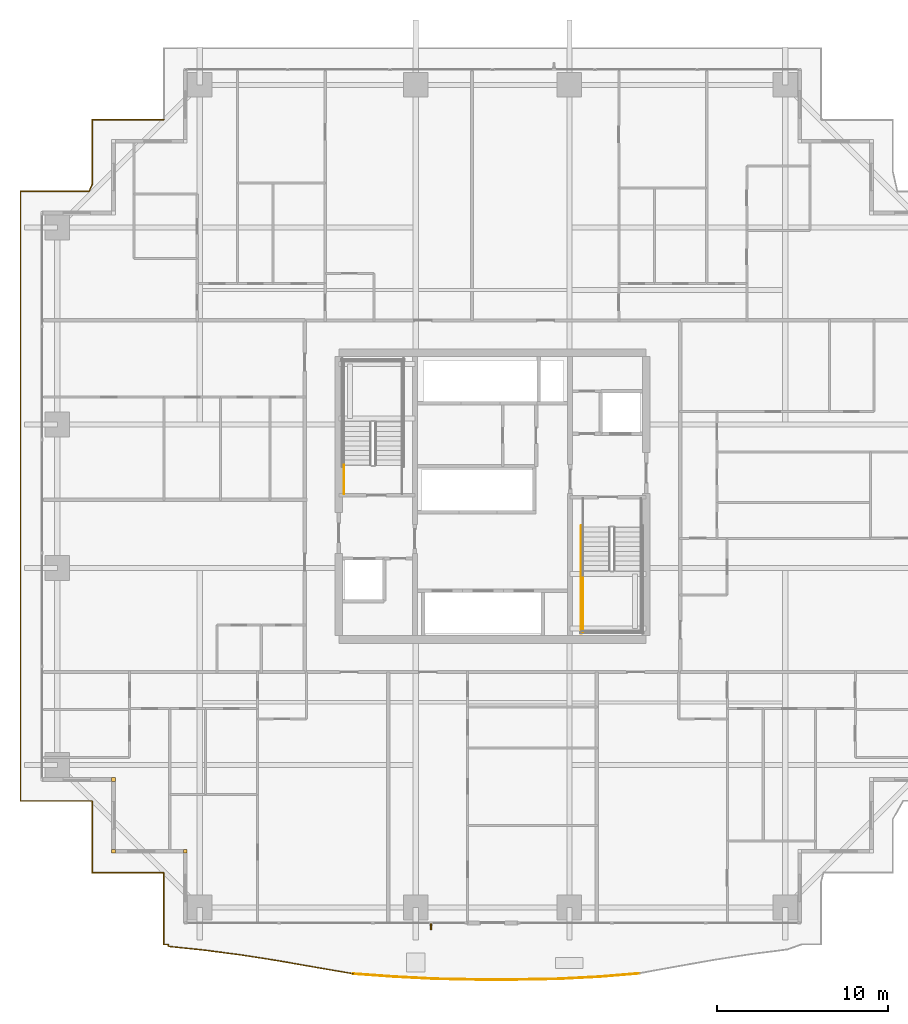
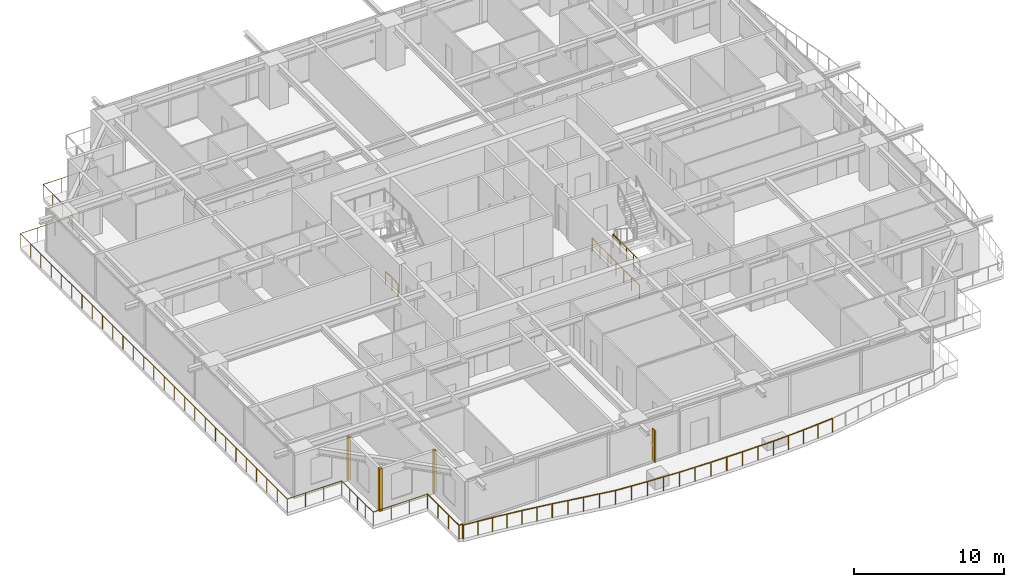
# One storey, part 34 of 39: 6 railings, 3 coverings, 1 shading device.
"""IFC4 building model written with IfcOpenShell, lengths in metres."""

from ifc_helpers import new_model, si_unit, direction, frame, origin, origin_2d, place, context, subcontext, project, spatial, rectangle, circle, extrude, source, transform, mapped, material, layer, layer_set, type_object, element, save


model = new_model("IFC4")

# Units and contexts
model_context = context("Model", 3, precision=1e-05, world=origin(), true_north=direction((0.0, 1.0)))
body_context = subcontext(model_context, "Body", "Model", "MODEL_VIEW")
ifc_project = project(units=[si_unit("LENGTHUNIT", "METRE"), si_unit("AREAUNIT", "SQUARE_METRE"), si_unit("VOLUMEUNIT", "CUBIC_METRE"), si_unit("PLANEANGLEUNIT", "RADIAN"), si_unit("MASSUNIT", "GRAM", prefix="KILO")], contexts=[model_context])

# Site, building, storey
site_placement = place(None, origin())
site = spatial("IfcSite", under=ifc_project, at=site_placement, CompositionType="ELEMENT")
building_placement = place(site_placement, origin())
building = spatial("IfcBuilding", under=site, at=building_placement, Name="Serunith Strait Residences", CompositionType="ELEMENT")
storey_placement = place(building_placement, frame((0.0, 0.0, 64.199951171875)))
storey = spatial("IfcBuildingStorey", under=building, at=storey_placement, Name="L15", CompositionType="ELEMENT", Elevation=64.199951171875)

# Railings
ifc_material_1 = material(Name="Stainless Steel & Laminated Glass Balustrade", Category="steel")
railing_type_1 = type_object("IfcRailingType", Name="RLG-BALC-1150", PredefinedType="BALUSTRADE", material=ifc_material_1)
railing_1_placement = place(storey_placement, frame((13.139892578125, 3.139892578125, -0.050048828125)))
element("IfcRailing", 1, at=railing_1_placement, inside=storey, type_object=railing_type_1, Name="L15 Swirling Balcony Perimeter Balustrade 1", PredefinedType="BALUSTRADE", context=body_context, shape_type="SweptSolid", body=[
    extrude(circle(Radius=0.02392578125, at=origin_2d()), frame((-0.001953125, 0.0, 1.1259765625), z_axis=(-1.0, 0.0, 0.0), x_axis=(0.0, -1.0, 0.0)), (0.0, 0.0, 1.0), 4.196044921875),
    extrude(circle(Radius=0.02392578125, at=origin_2d()), frame((-4.199951171875, 0.001953125, 1.1259765625), z_axis=(0.0, 1.0, 0.0), x_axis=(-1.0, 0.0, 0.0)), (0.0, 0.0, 1.0), 4.1962890625),
    extrude(circle(Radius=0.02392578125, at=origin_2d()), frame((-4.201904296875, 4.2001953125, 1.1259765625), z_axis=(-1.0, 0.0, 0.0), x_axis=(0.0, -1.0, 0.0)), (0.0, 0.0, 1.0), 4.196044921875),
    extrude(circle(Radius=0.02392578125, at=origin_2d()), frame((-8.39990234375, 4.2021484375, 1.1259765625), z_axis=(0.0, 1.0, 0.0), x_axis=(-1.0, 0.0, 0.0)), (0.0, 0.0, 1.0), 35.716064453125),
    extrude(circle(Radius=0.02392578125, at=origin_2d()), frame((-8.39794921875, 39.920166015625, 1.1259765625), z_axis=(1.0, 0.0, 0.0), x_axis=(0.0, 1.0, 0.0)), (0.0, 0.0, 1.0), 4.014892578125),
    extrude(circle(Radius=0.02392578125, at=origin_2d()), frame((-4.38037109375, 39.921875, 1.1259765625), z_axis=(0.414518347731, 0.91004095479, 0.0), x_axis=(-0.91004095479, 0.414518347731, 0.0)), (0.0, 0.0, 1.0), 0.43310546875),
    extrude(circle(Radius=0.02392578125, at=origin_2d()), frame((-4.199951171875, 40.31982421875, 1.1259765625), z_axis=(0.0, 1.0, 0.0), x_axis=(-1.0, 0.0, 0.0)), (0.0, 0.0, 1.0), 3.79833984375),
    extrude(circle(Radius=0.02392578125, at=origin_2d()), frame((-4.197998046875, 44.1201171875, 1.1259765625), z_axis=(1.0, 0.0, 0.0), x_axis=(0.0, 1.0, 0.0)), (0.0, 0.0, 1.0), 4.196044921875),
    extrude(circle(Radius=0.02099609375, at=origin_2d()), origin(), (0.0, 0.0, 1.0), 1.099853515625),
    extrude(circle(Radius=0.02099609375, at=origin_2d()), frame((-1.39990234375, 0.0, 0.0)), (0.0, 0.0, 1.0), 1.099853515625),
    extrude(circle(Radius=0.02099609375, at=origin_2d()), frame((-2.800048828125, 0.0, 0.0)), (0.0, 0.0, 1.0), 1.099853515625),
    extrude(circle(Radius=0.02099609375, at=origin_2d()), frame((-4.199951171875, 0.0, 0.0)), (0.0, 0.0, 1.0), 1.099853515625),
    extrude(circle(Radius=0.02099609375, at=origin_2d()), frame((-4.199951171875, 1.050048828125, 0.0)), (0.0, 0.0, 1.0), 1.099853515625),
    extrude(circle(Radius=0.02099609375, at=origin_2d()), frame((-4.199951171875, 2.10009765625, 0.0)), (0.0, 0.0, 1.0), 1.099853515625),
    extrude(circle(Radius=0.02099609375, at=origin_2d()), frame((-4.199951171875, 3.150146484375, 0.0)), (0.0, 0.0, 1.0), 1.099853515625),
    extrude(circle(Radius=0.02099609375, at=origin_2d()), frame((-4.199951171875, 4.2001953125, 0.0)), (0.0, 0.0, 1.0), 1.099853515625),
    extrude(circle(Radius=0.02099609375, at=origin_2d()), frame((-5.599853515625, 4.2001953125, 0.0)), (0.0, 0.0, 1.0), 1.099853515625),
    extrude(circle(Radius=0.02099609375, at=origin_2d()), frame((-7.0, 4.2001953125, 0.0)), (0.0, 0.0, 1.0), 1.099853515625),
    extrude(circle(Radius=0.02099609375, at=origin_2d()), frame((-8.39990234375, 4.2001953125, 0.0)), (0.0, 0.0, 1.0), 1.099853515625),
    extrude(circle(Radius=0.02099609375, at=origin_2d()), frame((-8.39990234375, 5.573974609375, 0.0)), (0.0, 0.0, 1.0), 1.099853515625),
    extrude(circle(Radius=0.02099609375, at=origin_2d()), frame((-8.39990234375, 6.947998046875, 0.0)), (0.0, 0.0, 1.0), 1.099853515625),
    extrude(circle(Radius=0.02099609375, at=origin_2d()), frame((-8.39990234375, 8.32177734375, 0.0)), (0.0, 0.0, 1.0), 1.099853515625),
    extrude(circle(Radius=0.02099609375, at=origin_2d()), frame((-8.39990234375, 9.695556640625, 0.0)), (0.0, 0.0, 1.0), 1.099853515625),
    extrude(circle(Radius=0.02099609375, at=origin_2d()), frame((-8.39990234375, 11.0693359375, 0.0)), (0.0, 0.0, 1.0), 1.099853515625),
    extrude(circle(Radius=0.02099609375, at=origin_2d()), frame((-8.39990234375, 12.443359375, 0.0)), (0.0, 0.0, 1.0), 1.099853515625),
    extrude(circle(Radius=0.02099609375, at=origin_2d()), frame((-8.39990234375, 13.817138671875, 0.0)), (0.0, 0.0, 1.0), 1.099853515625),
    extrude(circle(Radius=0.02099609375, at=origin_2d()), frame((-8.39990234375, 15.19091796875, 0.0)), (0.0, 0.0, 1.0), 1.099853515625),
    extrude(circle(Radius=0.02099609375, at=origin_2d()), frame((-8.39990234375, 16.564697265625, 0.0)), (0.0, 0.0, 1.0), 1.099853515625),
    extrude(circle(Radius=0.02099609375, at=origin_2d()), frame((-8.39990234375, 17.938720703125, 0.0)), (0.0, 0.0, 1.0), 1.099853515625),
    extrude(circle(Radius=0.02099609375, at=origin_2d()), frame((-8.39990234375, 19.3125, 0.0)), (0.0, 0.0, 1.0), 1.099853515625),
    extrude(circle(Radius=0.02099609375, at=origin_2d()), frame((-8.39990234375, 20.686279296875, 0.0)), (0.0, 0.0, 1.0), 1.099853515625),
    extrude(circle(Radius=0.02099609375, at=origin_2d()), frame((-8.39990234375, 22.06005859375, 0.0)), (0.0, 0.0, 1.0), 1.099853515625),
    extrude(circle(Radius=0.02099609375, at=origin_2d()), frame((-8.39990234375, 23.43408203125, 0.0)), (0.0, 0.0, 1.0), 1.099853515625),
    extrude(circle(Radius=0.02099609375, at=origin_2d()), frame((-8.39990234375, 24.807861328125, 0.0)), (0.0, 0.0, 1.0), 1.099853515625),
    extrude(circle(Radius=0.02099609375, at=origin_2d()), frame((-8.39990234375, 26.181640625, 0.0)), (0.0, 0.0, 1.0), 1.099853515625),
    extrude(circle(Radius=0.02099609375, at=origin_2d()), frame((-8.39990234375, 27.5556640625, 0.0)), (0.0, 0.0, 1.0), 1.099853515625),
    extrude(circle(Radius=0.02099609375, at=origin_2d()), frame((-8.39990234375, 28.929443359375, 0.0)), (0.0, 0.0, 1.0), 1.099853515625),
    extrude(circle(Radius=0.02099609375, at=origin_2d()), frame((-8.39990234375, 30.30322265625, 0.0)), (0.0, 0.0, 1.0), 1.099853515625),
    extrude(circle(Radius=0.02099609375, at=origin_2d()), frame((-8.39990234375, 31.677001953125, 0.0)), (0.0, 0.0, 1.0), 1.099853515625),
    extrude(circle(Radius=0.02099609375, at=origin_2d()), frame((-8.39990234375, 33.051025390625, 0.0)), (0.0, 0.0, 1.0), 1.099853515625),
    extrude(circle(Radius=0.02099609375, at=origin_2d()), frame((-8.39990234375, 34.4248046875, 0.0)), (0.0, 0.0, 1.0), 1.099853515625),
    extrude(circle(Radius=0.02099609375, at=origin_2d()), frame((-8.39990234375, 35.798583984375, 0.0)), (0.0, 0.0, 1.0), 1.099853515625),
    extrude(circle(Radius=0.02099609375, at=origin_2d()), frame((-8.39990234375, 37.17236328125, 0.0)), (0.0, 0.0, 1.0), 1.099853515625),
    extrude(circle(Radius=0.02099609375, at=origin_2d()), frame((-8.39990234375, 38.54638671875, 0.0)), (0.0, 0.0, 1.0), 1.099853515625),
    extrude(circle(Radius=0.02099609375, at=origin_2d()), frame((-8.39990234375, 39.920166015625, 0.0)), (0.0, 0.0, 1.0), 1.099853515625),
    extrude(circle(Radius=0.02099609375, at=origin_2d()), frame((-7.060302734375, 39.920166015625, 0.0)), (0.0, 0.0, 1.0), 1.099853515625),
    extrude(circle(Radius=0.02099609375, at=origin_2d()), frame((-5.720703125, 39.920166015625, 0.0)), (0.0, 0.0, 1.0), 1.099853515625),
    extrude(circle(Radius=0.02099609375, at=origin_2d()), frame((-4.381103515625, 39.920166015625, 0.0)), (0.0, 0.0, 1.0), 1.099853515625),
    extrude(circle(Radius=0.02099609375, at=origin_2d()), frame((-4.199951171875, 40.31787109375, 0.0)), (0.0, 0.0, 1.0), 1.099853515625),
    extrude(circle(Radius=0.02099609375, at=origin_2d()), frame((-4.199951171875, 41.585205078125, 0.0)), (0.0, 0.0, 1.0), 1.099853515625),
    extrude(circle(Radius=0.02099609375, at=origin_2d()), frame((-4.199951171875, 42.852783203125, 0.0)), (0.0, 0.0, 1.0), 1.099853515625),
    extrude(circle(Radius=0.02099609375, at=origin_2d()), frame((-4.199951171875, 44.1201171875, 0.0)), (0.0, 0.0, 1.0), 1.099853515625),
    extrude(circle(Radius=0.02099609375, at=origin_2d()), frame((-2.800048828125, 44.1201171875, 0.0)), (0.0, 0.0, 1.0), 1.099853515625),
    extrude(circle(Radius=0.02099609375, at=origin_2d()), frame((-1.39990234375, 44.1201171875, 0.0)), (0.0, 0.0, 1.0), 1.099853515625),
    extrude(circle(Radius=0.02099609375, at=origin_2d()), frame((0.0, 44.1201171875, 0.0)), (0.0, 0.0, 1.0), 1.099853515625),
])
railing_2_placement = place(storey_placement, frame((41.010986328125, -2.75830078125, -0.050048828125)))
element("IfcRailing", 2, at=railing_2_placement, inside=storey, type_object=railing_type_1, Name="L15 Swirling Balcony Perimeter Balustrade 7", PredefinedType="BALUSTRADE", context=body_context, shape_type="SweptSolid", body=[
    extrude(circle(Radius=0.02392578125, at=origin_2d()), frame((-0.001953125, -0.000244140625, 1.1259765625), z_axis=(-0.996533616476, -0.083191052606, 0.0), x_axis=(0.083191052606, -0.996533616476, 0.0)), (0.0, 0.0, 1.0), 2.35546875),
    extrude(circle(Radius=0.02392578125, at=origin_2d()), frame((-2.353271484375, -0.1962890625, 1.1259765625), z_axis=(-0.99864051591, -0.052126001034, 0.0), x_axis=(0.052126001034, -0.99864051591, 0.0)), (0.0, 0.0, 1.0), 2.39404296875),
    extrude(circle(Radius=0.02392578125, at=origin_2d()), frame((-4.748046875, -0.3212890625, 1.1259765625), z_axis=(-0.999859707284, -0.016750097024, 0.0), x_axis=(0.016750097024, -0.999859707284, 0.0)), (0.0, 0.0, 1.0), 2.41552734375),
    extrude(circle(Radius=0.02392578125, at=origin_2d()), frame((-7.167236328125, -0.36181640625, 1.1259765625), z_axis=(-1.0, 0.0, 0.0), x_axis=(0.0, -1.0, 0.0)), (0.0, 0.0, 1.0), 2.42431640625),
    extrude(circle(Radius=0.02392578125, at=origin_2d()), frame((-9.595458984375, -0.36181640625, 1.1259765625), z_axis=(-0.999825868466, 0.018660995325, 0.0), x_axis=(-0.018660995325, -0.999825868466, 0.0)), (0.0, 0.0, 1.0), 2.416259765625),
    extrude(circle(Radius=0.02392578125, at=origin_2d()), frame((-12.015380859375, -0.316650390625, 1.1259765625), z_axis=(-0.99862624838, 0.05239862638, 0.0), x_axis=(-0.05239862638, -0.99862624838, 0.0)), (0.0, 0.0, 1.0), 2.3955078125),
    extrude(circle(Radius=0.02392578125, at=origin_2d()), frame((-14.41162109375, -0.190673828125, 1.1259765625), z_axis=(-0.997437198429, 0.071547433148, 0.0), x_axis=(-0.071547433148, -0.997437198429, 0.0)), (0.0, 0.0, 1.0), 2.364013671875),
    extrude(circle(Radius=0.02099609375, at=origin_2d()), origin(), (0.0, 0.0, 1.0), 1.099853515625),
    extrude(circle(Radius=0.02099609375, at=origin_2d()), frame((-1.17578125, -0.09814453125, 0.0)), (0.0, 0.0, 1.0), 1.099853515625),
    extrude(circle(Radius=0.02099609375, at=origin_2d()), frame((-2.351318359375, -0.1962890625, 0.0)), (0.0, 0.0, 1.0), 1.099853515625),
    extrude(circle(Radius=0.02099609375, at=origin_2d()), frame((-3.548828125, -0.2587890625, 0.0)), (0.0, 0.0, 1.0), 1.099853515625),
    extrude(circle(Radius=0.02099609375, at=origin_2d()), frame((-4.74609375, -0.3212890625, 0.0)), (0.0, 0.0, 1.0), 1.099853515625),
    extrude(circle(Radius=0.02099609375, at=origin_2d()), frame((-5.95556640625, -0.341552734375, 0.0)), (0.0, 0.0, 1.0), 1.099853515625),
    extrude(circle(Radius=0.02099609375, at=origin_2d()), frame((-7.165283203125, -0.36181640625, 0.0)), (0.0, 0.0, 1.0), 1.099853515625),
    extrude(circle(Radius=0.02099609375, at=origin_2d()), frame((-8.37939453125, -0.36181640625, 0.0)), (0.0, 0.0, 1.0), 1.099853515625),
    extrude(circle(Radius=0.02099609375, at=origin_2d()), frame((-9.593505859375, -0.36181640625, 0.0)), (0.0, 0.0, 1.0), 1.099853515625),
    extrude(circle(Radius=0.02099609375, at=origin_2d()), frame((-10.803466796875, -0.33935546875, 0.0)), (0.0, 0.0, 1.0), 1.099853515625),
    extrude(circle(Radius=0.02099609375, at=origin_2d()), frame((-12.013427734375, -0.316650390625, 0.0)), (0.0, 0.0, 1.0), 1.099853515625),
    extrude(circle(Radius=0.02099609375, at=origin_2d()), frame((-13.21142578125, -0.25390625, 0.0)), (0.0, 0.0, 1.0), 1.099853515625),
    extrude(circle(Radius=0.02099609375, at=origin_2d()), frame((-14.40966796875, -0.19091796875, 0.0)), (0.0, 0.0, 1.0), 1.099853515625),
    extrude(circle(Radius=0.02099609375, at=origin_2d()), frame((-15.5908203125, -0.106201171875, 0.0)), (0.0, 0.0, 1.0), 1.099853515625),
    extrude(circle(Radius=0.02099609375, at=origin_2d()), frame((-16.771728515625, -0.021484375, 0.0)), (0.0, 0.0, 1.0), 1.099853515625),
])
railing_3_placement = place(storey_placement, frame((24.2392578125, -2.77978515625, -0.050048828125)))
element("IfcRailing", 3, at=railing_3_placement, inside=storey, type_object=railing_type_1, Name="L15 Swirling Balcony Perimeter Balustrade 8", PredefinedType="BALUSTRADE", context=body_context, shape_type="SweptSolid", body=[
    extrude(circle(Radius=0.02392578125, at=origin_2d()), frame((-0.001953125, 0.000244140625, 1.1259765625), z_axis=(-0.985525460347, 0.169527481574, 0.0), x_axis=(-0.169527481574, -0.985525460347, 0.0)), (0.0, 0.0, 1.0), 2.280029296875),
    extrude(circle(Radius=0.02392578125, at=origin_2d()), frame((-2.2529296875, 0.387451171875, 1.1259765625), z_axis=(-0.985036069327, 0.172348316283, 0.0), x_axis=(-0.172348316283, -0.985036069327, 0.0)), (0.0, 0.0, 1.0), 2.2158203125),
    extrude(circle(Radius=0.02392578125, at=origin_2d()), frame((-4.439453125, 0.77001953125, 1.1259765625), z_axis=(-0.988030234668, 0.154260349352, 0.0), x_axis=(-0.154260349352, -0.988030234668, 0.0)), (0.0, 0.0, 1.0), 2.1689453125),
    extrude(circle(Radius=0.02392578125, at=origin_2d()), frame((-6.58642578125, 1.105224609375, 1.1259765625), z_axis=(-0.991585166867, 0.129456003528, 0.0), x_axis=(-0.129456003528, -0.991585166867, 0.0)), (0.0, 0.0, 1.0), 2.140380859375),
    extrude(circle(Radius=0.02392578125, at=origin_2d()), frame((-8.712646484375, 1.3828125, 1.1259765625), z_axis=(-0.994597974251, 0.103802069424, 0.0), x_axis=(-0.103802069424, -0.994597974251, 0.0)), (0.0, 0.0, 1.0), 2.126953125),
    extrude(circle(Radius=0.02392578125, at=origin_2d()), frame((-10.830078125, 1.605712890625, 1.1259765625), z_axis=(0.008420754062, 0.999964544822, 0.0), x_axis=(-0.999964544822, 0.008420754062, 0.0)), (0.0, 0.0, 1.0), 0.112060546875),
    extrude(circle(Radius=0.02392578125, at=origin_2d()), frame((-10.8310546875, 1.7197265625, 1.1259765625), z_axis=(-1.0, 0.0, 0.0), x_axis=(0.0, -1.0, 0.0)), (0.0, 0.0, 1.0), 0.266357421875),
    extrude(circle(Radius=0.02392578125, at=origin_2d()), frame((-11.099365234375, 1.7216796875, 1.1259765625), z_axis=(0.0, 1.0, 0.0), x_axis=(-1.0, 0.0, 0.0)), (0.0, 0.0, 1.0), 4.196044921875),
    extrude(circle(Radius=0.02099609375, at=origin_2d()), origin(), (0.0, 0.0, 1.0), 1.099853515625),
    extrude(circle(Radius=0.02099609375, at=origin_2d()), frame((-1.12548828125, 0.193603515625, 0.0)), (0.0, 0.0, 1.0), 1.099853515625),
    extrude(circle(Radius=0.02099609375, at=origin_2d()), frame((-2.2509765625, 0.38720703125, 0.0)), (0.0, 0.0, 1.0), 1.099853515625),
    extrude(circle(Radius=0.02099609375, at=origin_2d()), frame((-3.34423828125, 0.57861328125, 0.0)), (0.0, 0.0, 1.0), 1.099853515625),
    extrude(circle(Radius=0.02099609375, at=origin_2d()), frame((-4.4375, 0.769775390625, 0.0)), (0.0, 0.0, 1.0), 1.099853515625),
    extrude(circle(Radius=0.02099609375, at=origin_2d()), frame((-5.510986328125, 0.9375, 0.0)), (0.0, 0.0, 1.0), 1.099853515625),
    extrude(circle(Radius=0.02099609375, at=origin_2d()), frame((-6.58447265625, 1.10498046875, 0.0)), (0.0, 0.0, 1.0), 1.099853515625),
    extrude(circle(Radius=0.02099609375, at=origin_2d()), frame((-7.6474609375, 1.24365234375, 0.0)), (0.0, 0.0, 1.0), 1.099853515625),
    extrude(circle(Radius=0.02099609375, at=origin_2d()), frame((-8.710693359375, 1.382568359375, 0.0)), (0.0, 0.0, 1.0), 1.099853515625),
    extrude(circle(Radius=0.02099609375, at=origin_2d()), frame((-9.7705078125, 1.4931640625, 0.0)), (0.0, 0.0, 1.0), 1.099853515625),
    extrude(circle(Radius=0.02099609375, at=origin_2d()), frame((-10.830078125, 1.603759765625, 0.0)), (0.0, 0.0, 1.0), 1.099853515625),
    extrude(circle(Radius=0.02099609375, at=origin_2d()), frame((-10.8291015625, 1.7197265625, 0.0)), (0.0, 0.0, 1.0), 1.099853515625),
    extrude(circle(Radius=0.02099609375, at=origin_2d()), frame((-11.099365234375, 1.7197265625, 0.0)), (0.0, 0.0, 1.0), 1.099853515625),
    extrude(circle(Radius=0.02099609375, at=origin_2d()), frame((-11.099365234375, 3.11962890625, 0.0)), (0.0, 0.0, 1.0), 1.099853515625),
    extrude(circle(Radius=0.02099609375, at=origin_2d()), frame((-11.099365234375, 4.519775390625, 0.0)), (0.0, 0.0, 1.0), 1.099853515625),
    extrude(circle(Radius=0.02099609375, at=origin_2d()), frame((-11.099365234375, 5.919677734375, 0.0)), (0.0, 0.0, 1.0), 1.099853515625),
])
ifc_material_2 = material(Name="Brushed stainless steel 316L", Category="steel")
railing_type_2 = type_object("IfcRailingType", Name="RLG-STAIR-GUARD", PredefinedType="BALUSTRADE", material=ifc_material_2)
railing_4_placement = place(storey_placement, frame((23.699951171875, 25.35009765625, 0.0)))
element("IfcRailing", 4, at=railing_4_placement, inside=storey, type_object=railing_type_2, Name="L15 ST-1 stair guard 9", PredefinedType="BALUSTRADE", context=body_context, shape_type="SweptSolid", body=[
    extrude(circle(Radius=0.02392578125, at=origin_2d()), frame((0.0, 0.001953125, 1.076171875), z_axis=(0.0, 1.0, 0.0), x_axis=(-1.0, 0.0, 0.0)), (0.0, 0.0, 1.0), 1.676025390625),
    extrude(circle(Radius=0.02099609375, at=origin_2d()), origin(), (0.0, 0.0, 1.0), 1.050048828125),
    extrude(circle(Radius=0.02099609375, at=origin_2d()), frame((0.0, 0.83984375, 0.0)), (0.0, 0.0, 1.0), 1.050048828125),
    extrude(circle(Radius=0.02099609375, at=origin_2d()), frame((0.0, 1.679931640625, 0.0)), (0.0, 0.0, 1.0), 1.050048828125),
])
railing_5_placement = place(storey_placement, frame((37.699951171875, 20.85009765625, 1.875)))
element("IfcRailing", 5, at=railing_5_placement, inside=storey, type_object=railing_type_2, Name="L15 ST-2 stair guard 3", PredefinedType="BALUSTRADE", context=body_context, shape_type="SweptSolid", body=[
    extrude(circle(Radius=0.02392578125, at=origin_2d()), frame((0.0, -0.001953125, 1.076171875), z_axis=(0.0, -1.0, 0.0), x_axis=(1.0, 0.0, 0.0)), (0.0, 0.0, 1.0), 3.59619140625),
    extrude(circle(Radius=0.02099609375, at=origin_2d()), origin(), (0.0, 0.0, 1.0), 1.050048828125),
    extrude(circle(Radius=0.02099609375, at=origin_2d()), frame((0.0, -0.89990234375, 0.0)), (0.0, 0.0, 1.0), 1.050048828125),
    extrude(circle(Radius=0.02099609375, at=origin_2d()), frame((0.0, -1.800048828125, 0.0)), (0.0, 0.0, 1.0), 1.050048828125),
    extrude(circle(Radius=0.02099609375, at=origin_2d()), frame((0.0, -2.7001953125, 0.0)), (0.0, 0.0, 1.0), 1.050048828125),
    extrude(circle(Radius=0.02099609375, at=origin_2d()), frame((0.0, -3.60009765625, 0.0)), (0.0, 0.0, 1.0), 1.050048828125),
])
railing_6_placement = place(storey_placement, frame((37.60009765625, 23.469970703125, 0.0)))
element("IfcRailing", 6, at=railing_6_placement, inside=storey, type_object=railing_type_2, Name="L15 ST-2 stair guard 10", PredefinedType="BALUSTRADE", context=body_context, shape_type="SweptSolid", body=[
    extrude(circle(Radius=0.02392578125, at=origin_2d()), frame((0.0, -0.001953125, 1.076171875), z_axis=(0.0, -1.0, 0.0), x_axis=(1.0, 0.0, 0.0)), (0.0, 0.0, 1.0), 6.316162109375),
    extrude(circle(Radius=0.02099609375, at=origin_2d()), origin(), (0.0, 0.0, 1.0), 1.050048828125),
    extrude(circle(Radius=0.02099609375, at=origin_2d()), frame((0.0, -1.05322265625, 0.0)), (0.0, 0.0, 1.0), 1.050048828125),
    extrude(circle(Radius=0.02099609375, at=origin_2d()), frame((0.0, -2.106689453125, 0.0)), (0.0, 0.0, 1.0), 1.050048828125),
    extrude(circle(Radius=0.02099609375, at=origin_2d()), frame((0.0, -3.16015625, 0.0)), (0.0, 0.0, 1.0), 1.050048828125),
    extrude(circle(Radius=0.02099609375, at=origin_2d()), frame((0.0, -4.21337890625, 0.0)), (0.0, 0.0, 1.0), 1.050048828125),
    extrude(circle(Radius=0.02099609375, at=origin_2d()), frame((0.0, -5.2666015625, 0.0)), (0.0, 0.0, 1.0), 1.050048828125),
    extrude(circle(Radius=0.02099609375, at=origin_2d()), frame((0.0, -6.320068359375, 0.0)), (0.0, 0.0, 1.0), 1.050048828125),
])

# Coverings
ifc_material_3 = material(Name="Pale-Champagne Anodised Aluminium", Category="aluminium")
ifc_layer = layer(ifc_material_3, 0.219970703125, Name="Pale-Champagne Anodised Aluminium")
ifc_layer_set = layer_set([ifc_layer], Name="Pale-Champagne Anodised Aluminium")
covering_type = type_object("IfcCoveringType", Name="COV-CORN-TRIM", PredefinedType="CLADDING", material=ifc_layer_set)
shared_shape_1 = source(origin(), body_context, "Body", "SweptSolid", [
    extrude(rectangle(XDim=0.221923828125, YDim=0.221923828125, at=origin_2d()), origin(), (0.0, 0.0, 1.0), 3.47509765625),
])
for number, where, z_axis, x_axis, name in (
    (7, (10.199951171875, 8.60009765625, 0.0), (0.0, 0.0, 1.0), (1.0, 0.0, 0.0), "L15 Girih Serrated Corner Trim Post 17"),
    (8, (10.199951171875, 4.39990234375, 0.0), (0.0, 0.0, 1.0), (1.0, 0.0, 0.0), "L15 Girih Serrated Corner Trim Post 18"),
    (9, (14.39990234375, 4.39990234375, 0.0), (0.0, 0.0, 1.0), (1.0, 0.0, 0.0), "L15 Girih Serrated Corner Trim Post 19"),
):
    element("IfcCovering", number, at=place(storey_placement, frame(where, z_axis=z_axis, x_axis=x_axis)), inside=storey, type_object=covering_type, Name=name, PredefinedType="CLADDING", context=body_context, shape_type="MappedRepresentation", body=[
        mapped(shared_shape_1, transform((0.0, 0.0, 0.0), scale=1.0)),
    ])

# Shading device
ifc_material_4 = material(Name="Pale-Champagne Perforated Aluminium Fin", Category="aluminium")
shading_device_type = type_object("IfcShadingDeviceType", Name="SHD-DIAG-FIN", PredefinedType="AWNING", material=ifc_material_4)
shared_shape_2 = source(origin(), body_context, "Body", "SweptSolid", [
    extrude(rectangle(XDim=0.080078125, YDim=0.35009765625, at=origin_2d()), origin(), (0.0, 0.0, 1.0), 2.60009765625),
])
shading_device_placement = place(storey_placement, frame((28.800048828125, -0.02001953125, 0.199951171875), z_axis=(0.0, 0.0, 1.0), x_axis=(1.0, 0.0, 0.0)))
element("IfcShadingDevice", 10, at=shading_device_placement, inside=storey, type_object=shading_device_type, Name="L15 Diagonal Rhythm Solar Fin S", PredefinedType="AWNING", context=body_context, shape_type="MappedRepresentation", body=[
    mapped(shared_shape_2, transform((0.0, 0.0, 0.0), scale=1.0)),
])

save(model, "model.ifc")
